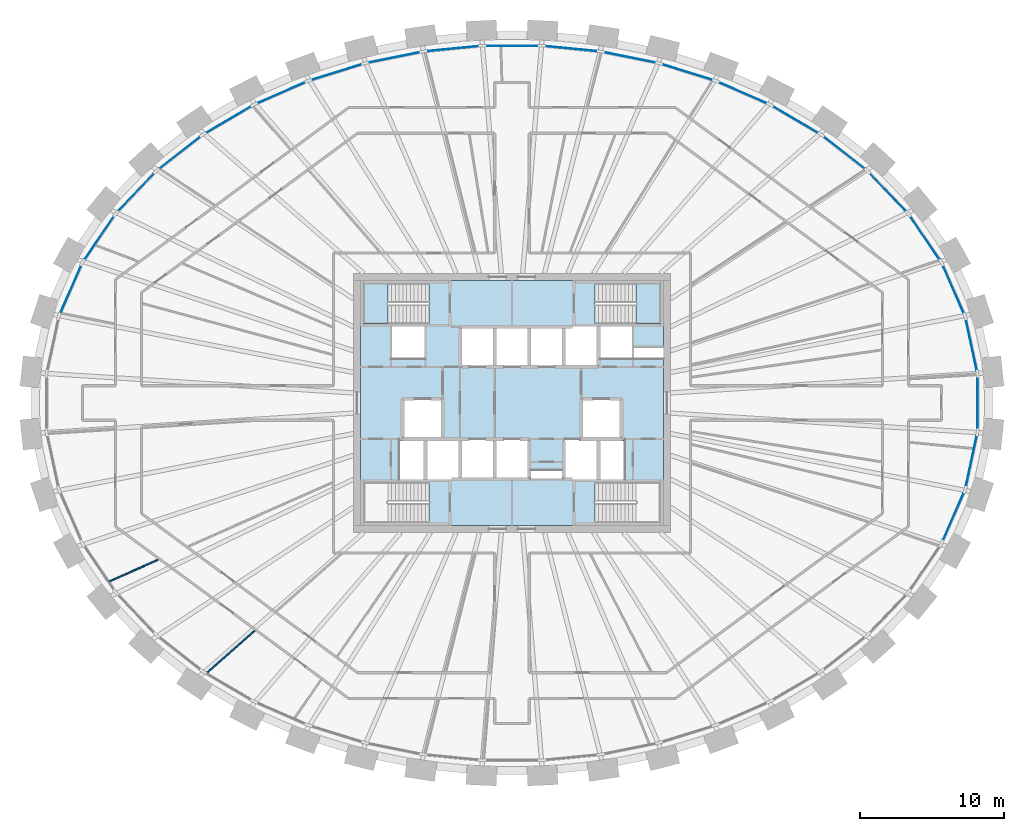
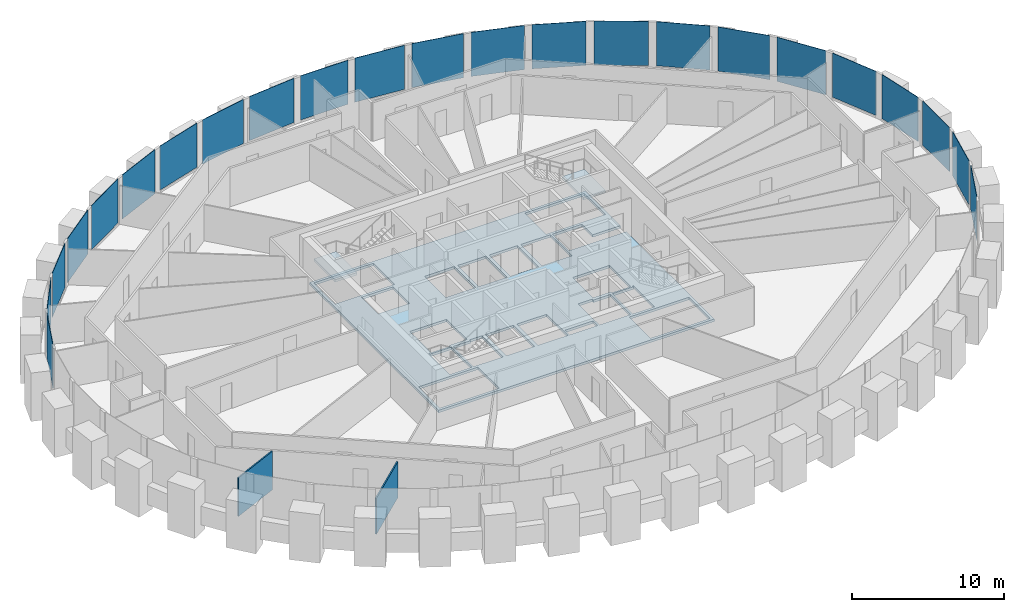
# One storey, part 5 of 12: 23 plates, 3 slabs, 2 walls, 3 elements without a shape of their own.
"""IFC4 building model written with IfcOpenShell, lengths in metres."""

import ifcopenshell
import ifcopenshell.guid

model = None  # the IFC model being written
_history = None  # IfcOwnerHistory: only IFC2X3 demands one
_inside = {}  # id of a spatial element -> (the spatial element, [elements in it])
_under = {}  # id of a project, library or spatial element -> (it, [spatial elements below it])
_declared = {}  # id of a project -> (the project, [libraries it declares])
_typed = {}  # id of a type object -> (the type object, [elements of that type])
_made_of = {}  # id of a material, layer set ... -> (it, [elements and type objects made of it])


def new_model(schema):
    """Start an empty IFC model of exactly this schema.

    Asked for "IFC4X3", IfcOpenShell would pick the latest addendum, in which some entities
    have other attributes; the version numbers below select the first issue.
    IFC2X3 requires an IfcOwnerHistory on every rooted entity: one is made here for all.
    """
    global model, _history
    if schema == "IFC4X3":
        model = ifcopenshell.file(schema_version=(4, 3, 0, 0))
    else:
        model = ifcopenshell.file(schema=schema)
    _inside.clear()
    _under.clear()
    _declared.clear()
    _typed.clear()
    _made_of.clear()
    _history = None
    if model.schema == "IFC2X3":
        org = make("IfcOrganization", Name="unknown")
        user = make(
            "IfcPersonAndOrganization",
            ThePerson=make("IfcPerson", FamilyName="unknown"),
            TheOrganization=org,
        )
        app = make(
            "IfcApplication",
            ApplicationDeveloper=org,
            Version="unknown",
            ApplicationFullName="unknown",
            ApplicationIdentifier="unknown",
        )
        _history = make(
            "IfcOwnerHistory",
            OwningUser=user,
            OwningApplication=app,
            ChangeAction="ADDED",
            CreationDate=0,
        )
    return model


def make(cls, **values):
    """One entity of the class cls with the attributes given. An attribute that is None is left unset."""
    return model.create_entity(
        cls, **{name: value for name, value in values.items() if value is not None}
    )


def rooted(cls, **values):
    """An entity with a GlobalId (a new one), such as an element, a storey or a relation."""
    return make(cls, GlobalId=ifcopenshell.guid.new(), OwnerHistory=_history, **values)


def si_unit(unit_type, name, prefix=None):
    """IfcSIUnit, for example si_unit("LENGTHUNIT", "METRE", prefix="MILLI")."""
    return make("IfcSIUnit", UnitType=unit_type, Prefix=prefix, Name=name)


def assignment(units):
    """IfcUnitAssignment: the units of a project."""
    return None if units is None else make("IfcUnitAssignment", Units=units)


def point(xyz):
    """IfcCartesianPoint."""
    return None if xyz is None else make("IfcCartesianPoint", Coordinates=xyz)


def direction(xyz):
    """IfcDirection."""
    return None if xyz is None else make("IfcDirection", DirectionRatios=xyz)


def frame(location, z_axis=None, x_axis=None):
    """IfcAxis2Placement3D, a coordinate frame: its origin and axes. An axis left out is left unset."""
    return make(
        "IfcAxis2Placement3D",
        Location=point(location),
        Axis=direction(z_axis),
        RefDirection=direction(x_axis),
    )


def frame_2d(location, x_axis=None):
    """IfcAxis2Placement2D, a coordinate frame in the plane: its origin and x axis."""
    return make(
        "IfcAxis2Placement2D", Location=point(location), RefDirection=direction(x_axis)
    )


def origin():
    """The frame at (0, 0, 0) with its axes left unset."""
    return frame((0.0, 0.0, 0.0))


def origin_2d():
    """The frame at (0, 0) in the plane with its x axis left unset."""
    return frame_2d((0.0, 0.0))


def place(relative_to, where):
    """IfcLocalPlacement: puts the frame where relative to a parent placement (None: the world)."""
    return make(
        "IfcLocalPlacement", PlacementRelTo=relative_to, RelativePlacement=where
    )


def context(
    kind, dimensions, precision=None, world=None, true_north=None, identifier=None
):
    """IfcGeometricRepresentationContext, for example the 3D "Model" context."""
    return make(
        "IfcGeometricRepresentationContext",
        ContextIdentifier=identifier,
        ContextType=kind,
        CoordinateSpaceDimension=dimensions,
        Precision=precision,
        WorldCoordinateSystem=world,
        TrueNorth=true_north,
    )


def subcontext(parent, identifier, kind, view, scale=None):
    """IfcGeometricRepresentationSubContext, for example "Body" below "Model"."""
    return make(
        "IfcGeometricRepresentationSubContext",
        ContextIdentifier=identifier,
        ContextType=kind,
        ParentContext=parent,
        TargetScale=scale,
        TargetView=view,
    )


def project(units=None, contexts=None):
    """IfcProject with its units and contexts."""
    return rooted(
        "IfcProject",
        Name="project",
        RepresentationContexts=contexts,
        UnitsInContext=assignment(units),
    )


def spatial(cls, under=None, at=None, **own):
    """A site, building, storey or space (cls), placed at a placement, below another one or the project."""
    s = rooted(cls, ObjectPlacement=at, **own)
    if under is not None:
        _under.setdefault(under.id(), (under, []))[1].append(s)
    return s


def polyline(points):
    """IfcPolyline through the points."""
    return make("IfcPolyline", Points=[point(p) for p in points])


def profile(cls, at=None, kind="AREA", **sizes):
    """A parametric profile (cls). Its sizes go by their IFC names, for example OverallWidth=200.0."""
    return make(cls, ProfileType=kind, Position=at, **sizes)


def rectangle(**sizes):
    """IfcRectangleProfileDef."""
    return profile("IfcRectangleProfileDef", **sizes)


def outline(outer, holes=None, kind="AREA"):
    """IfcArbitraryClosedProfileDef: a profile drawn as a closed curve; with holes, ...WithVoids."""
    if holes is None:
        return make("IfcArbitraryClosedProfileDef", ProfileType=kind, OuterCurve=outer)
    return make(
        "IfcArbitraryProfileDefWithVoids",
        ProfileType=kind,
        OuterCurve=outer,
        InnerCurves=holes,
    )


def extrude(swept, where, along, depth):
    """IfcExtrudedAreaSolid: the profile swept, set in the frame where, extruded along a direction by depth."""
    return make(
        "IfcExtrudedAreaSolid",
        SweptArea=swept,
        Position=where,
        ExtrudedDirection=direction(along),
        Depth=depth,
    )


def shape(context_of_items, identifier, shape_type, items):
    """IfcShapeRepresentation: the items that make up one representation, for example the "Body"."""
    return make(
        "IfcShapeRepresentation",
        ContextOfItems=context_of_items,
        RepresentationIdentifier=identifier,
        RepresentationType=shape_type,
        Items=items,
    )


def source(mapping_origin, context_of_items, identifier, shape_type, items):
    """IfcRepresentationMap: a shape defined once, which mapped items show again and again."""
    return make(
        "IfcRepresentationMap",
        MappingOrigin=mapping_origin,
        MappedRepresentation=shape(context_of_items, identifier, shape_type, items),
    )


def transform(
    local_origin,
    x_axis=None,
    y_axis=None,
    z_axis=None,
    scale=None,
    scale2=None,
    scale3=None,
    uniform=True,
):
    """IfcCartesianTransformationOperator3D, or its non-uniform kind. x_axis, y_axis, z_axis: its Axis1, 2, 3."""
    if uniform:
        return make(
            "IfcCartesianTransformationOperator3D",
            Axis1=direction(x_axis),
            Axis2=direction(y_axis),
            LocalOrigin=point(local_origin),
            Scale=scale,
            Axis3=direction(z_axis),
        )
    return make(
        "IfcCartesianTransformationOperator3DnonUniform",
        Axis1=direction(x_axis),
        Axis2=direction(y_axis),
        LocalOrigin=point(local_origin),
        Scale=scale,
        Axis3=direction(z_axis),
        Scale2=scale2,
        Scale3=scale3,
    )


def mapped(mapping_source, mapping_target):
    """IfcMappedItem: shows the shape of a source again, moved by a transform."""
    return make(
        "IfcMappedItem", MappingSource=mapping_source, MappingTarget=mapping_target
    )


def material(Name=None, Category=None):
    """IfcMaterial."""
    return make("IfcMaterial", Name=Name, Category=Category)


def layer(
    of_material, thickness, ventilated=None, Name=None, Category=None, Priority=None
):
    """IfcMaterialLayer: one layer of a wall or slab, of a material (None: an air gap)."""
    return make(
        "IfcMaterialLayer",
        Material=of_material,
        LayerThickness=thickness,
        IsVentilated=ventilated,
        Name=Name,
        Category=Category,
        Priority=Priority,
    )


def layer_set(layers, Name=None):
    """IfcMaterialLayerSet."""
    return make("IfcMaterialLayerSet", MaterialLayers=layers, LayerSetName=Name)


def made_of(thing, what):
    """Note that an element or type object is made of a material, layer set ...; save() writes the relation."""
    if what is not None:
        _made_of.setdefault(what.id(), (what, []))[1].append(thing)
    return thing


def type_object(cls, material=None, **own):
    """A type object (cls), such as IfcWallType, which elements share."""
    return made_of(rooted(cls, **own), material)


def element(
    cls,
    number,
    at=None,
    inside=None,
    cuts=None,
    type_object=None,
    material=None,
    context=None,
    identifier="Body",
    shape_type=None,
    held_by="IfcProductDefinitionShape",
    body=None,
    shapes=None,
    **own,
):
    """One element of the class cls, such as IfcWall. Its Tag is "e" and its number.

    at: its placement. inside: the storey or other place that contains it. cuts: it is an
    opening in that element (IfcRelVoidsElement). A single representation is given by context,
    identifier, shape_type and body (its items); several are given by shapes. held_by: the class
    of the entity that holds the representations. save() writes the other relations.
    """
    e = rooted(cls, Tag="e%d" % number, ObjectPlacement=at, **own)
    if body is not None:
        shapes = [shape(context, identifier, shape_type, body)]
    if shapes is not None:
        e.Representation = make(held_by, Representations=shapes)
    if inside is not None:
        _inside.setdefault(inside.id(), (inside, []))[1].append(e)
    if cuts is not None:
        rooted(
            "IfcRelVoidsElement", RelatingBuildingElement=cuts, RelatedOpeningElement=e
        )
    if type_object is not None:
        _typed.setdefault(type_object.id(), (type_object, []))[1].append(e)
    return made_of(e, material)


def aggregate(whole, parts):
    """IfcRelAggregates: a whole, such as a stair, and the parts it consists of."""
    return rooted("IfcRelAggregates", RelatingObject=whole, RelatedObjects=parts)


def save(model, path):
    """Write the relations noted so far, then the file.

    IfcRelAggregates (storeys below a building ...), IfcRelContainedInSpatialStructure (elements
    in a storey), IfcRelDefinesByType, IfcRelAssociatesMaterial and IfcRelDeclares: one each for
    every whole, place, type object, material and project.
    """
    for whole, parts in _under.values():
        aggregate(whole, parts)
    for where, things in _inside.values():
        rooted(
            "IfcRelContainedInSpatialStructure",
            RelatedElements=things,
            RelatingStructure=where,
        )
    for kind, things in _typed.values():
        rooted("IfcRelDefinesByType", RelatedObjects=things, RelatingType=kind)
    for what, things in _made_of.values():
        rooted("IfcRelAssociatesMaterial", RelatedObjects=things, RelatingMaterial=what)
    for by, libraries in _declared.values():
        rooted("IfcRelDeclares", RelatingContext=by, RelatedDefinitions=libraries)
    model.write(path)


model = new_model("IFC4")

# Units and contexts
model_context = context("Model", 3, precision=1e-05, world=origin(), true_north=direction((0.0, 1.0)))
body_context = subcontext(model_context, "Body", "Model", "MODEL_VIEW")
ifc_project = project(units=[si_unit("LENGTHUNIT", "METRE"), si_unit("AREAUNIT", "SQUARE_METRE"), si_unit("VOLUMEUNIT", "CUBIC_METRE"), si_unit("PLANEANGLEUNIT", "RADIAN"), si_unit("MASSUNIT", "GRAM", prefix="KILO")], contexts=[model_context])

# Site, building, storey
site_placement = place(None, origin())
site = spatial("IfcSite", under=ifc_project, at=site_placement, CompositionType="ELEMENT")
building_placement = place(site_placement, origin())
building = spatial("IfcBuilding", under=site, at=building_placement, Name="Embergate Tower", CompositionType="ELEMENT")
storey_placement = place(building_placement, frame((0.0, 0.0, 250.0)))
storey = spatial("IfcBuildingStorey", under=building, at=storey_placement, Name="L57", CompositionType="ELEMENT", Elevation=250.0)

# Curtain wall, plates
ifc_material_1 = material(Name="Aluminium and glass", Category="aluminium")
curtain_wall_type = type_object("IfcCurtainWallType", Name="Recessed office glazing", PredefinedType="NOTDEFINED", material=ifc_material_1)
curtain_wall_placement = place(storey_placement, origin())
curtain_wall = element("IfcCurtainWall", 1, at=curtain_wall_placement, inside=storey, type_object=curtain_wall_type, Name="Recessed office glazing ring", ObjectType="RECESSED OFFICE GLAZING", PredefinedType="USERDEFINED")
ifc_material_2 = material(Name="Triple glazing, low-emissivity coating", Category="glass")
ifc_layer_1 = layer(ifc_material_2, 0.035888671875)
ifc_layer_set_1 = layer_set([ifc_layer_1], Name="Triple glazing, low-emissivity coating")
plate_type = type_object("IfcPlateType", Name="Office glazing unit", PredefinedType="CURTAIN_PANEL", material=ifc_layer_set_1)
shared_shape_1 = source(origin(), body_context, "Body", "SweptSolid", [
    extrude(rectangle(XDim=3.552978515625, YDim=0.035888671875, at=origin_2d()), origin(), (0.0, 0.0, 1.0), 3.550048828125),
])
plate_1_placement = place(storey_placement, frame((31.87646484375, 4.026123046875, 0.14990234375), z_axis=(0.0, 0.0, 1.0), x_axis=(-0.210398391177, 0.97761573074, 0.0)))
plate_1 = element("IfcPlate", 2, at=plate_1_placement, type_object=plate_type, Name="CW panel 1.1", PredefinedType="CURTAIN_PANEL", context=body_context, shape_type="MappedRepresentation", body=[
    mapped(shared_shape_1, transform((0.0, 0.0, 0.0))),
])
plate_2_placement = place(storey_placement, frame((31.87646484375, -4.026123046875, 0.14990234375), z_axis=(0.0, 0.0, 1.0), x_axis=(0.210398391177, 0.97761573074, 0.0)))
plate_2 = element("IfcPlate", 3, at=plate_2_placement, type_object=plate_type, Name="CW panel 43.1", PredefinedType="CURTAIN_PANEL", context=body_context, shape_type="MappedRepresentation", body=[
    mapped(shared_shape_1, transform((0.0, 0.0, 0.0))),
])
shared_shape_2 = source(origin(), body_context, "Body", "SweptSolid", [
    extrude(rectangle(XDim=3.559814453125, YDim=0.035888671875, at=origin_2d()), origin(), (0.0, 0.0, 1.0), 3.550048828125),
])
plate_3_placement = place(storey_placement, frame((30.628662109375, 7.885009765625, 0.14990234375), z_axis=(0.0, 0.0, 1.0), x_axis=(-0.401652101157, 0.91579232888, 0.0)))
plate_3 = element("IfcPlate", 4, at=plate_3_placement, type_object=plate_type, Name="CW panel 2.1", PredefinedType="CURTAIN_PANEL", context=body_context, shape_type="MappedRepresentation", body=[
    mapped(shared_shape_2, transform((0.0, 0.0, 0.0))),
])
plate_4_placement = place(storey_placement, frame((-30.628662109375, 7.885009765625, 0.14990234375), z_axis=(0.0, 0.0, 1.0), x_axis=(-0.401652101157, -0.91579232888, 0.0)))
plate_4 = element("IfcPlate", 5, at=plate_4_placement, type_object=plate_type, Name="CW panel 20.1", PredefinedType="CURTAIN_PANEL", context=body_context, shape_type="MappedRepresentation", body=[
    mapped(shared_shape_2, transform((0.0, 0.0, 0.0))),
])
plate_5_placement = place(storey_placement, frame((30.628662109375, -7.885009765625, 0.14990234375), z_axis=(0.0, 0.0, 1.0), x_axis=(0.401652101157, 0.91579232888, 0.0)))
plate_5 = element("IfcPlate", 6, at=plate_5_placement, type_object=plate_type, Name="CW panel 42.1", PredefinedType="CURTAIN_PANEL", context=body_context, shape_type="MappedRepresentation", body=[
    mapped(shared_shape_2, transform((0.0, 0.0, 0.0))),
])
shared_shape_3 = source(origin(), body_context, "Body", "SweptSolid", [
    extrude(rectangle(XDim=3.568603515625, YDim=0.035888671875, at=origin_2d()), origin(), (0.0, 0.0, 1.0), 3.550048828125),
])
plate_6_placement = place(storey_placement, frame((28.659912109375, 11.443603515625, 0.14990234375), z_axis=(0.0, 0.0, 1.0), x_axis=(-0.562341741915, 0.826904931234, 0.0)))
plate_6 = element("IfcPlate", 7, at=plate_6_placement, type_object=plate_type, Name="CW panel 3.1", PredefinedType="CURTAIN_PANEL", context=body_context, shape_type="MappedRepresentation", body=[
    mapped(shared_shape_3, transform((0.0, 0.0, 0.0))),
])
plate_7_placement = place(storey_placement, frame((-28.659912109375, 11.443603515625, 0.14990234375), z_axis=(0.0, 0.0, 1.0), x_axis=(-0.562341741915, -0.826904931234, 0.0)))
plate_7 = element("IfcPlate", 8, at=plate_7_placement, type_object=plate_type, Name="CW panel 19.1", PredefinedType="CURTAIN_PANEL", context=body_context, shape_type="MappedRepresentation", body=[
    mapped(shared_shape_3, transform((0.0, 0.0, 0.0))),
])
shared_shape_4 = source(origin(), body_context, "Body", "SweptSolid", [
    extrude(rectangle(XDim=3.576904296875, YDim=0.035888671875, at=origin_2d()), origin(), (0.0, 0.0, 1.0), 3.550048828125),
])
plate_8_placement = place(storey_placement, frame((26.096435546875, 14.616455078125, 0.14990234375), z_axis=(0.0, 0.0, 1.0), x_axis=(-0.690133784465, 0.723681808215, 0.0)))
plate_8 = element("IfcPlate", 9, at=plate_8_placement, type_object=plate_type, Name="CW panel 4.1", PredefinedType="CURTAIN_PANEL", context=body_context, shape_type="MappedRepresentation", body=[
    mapped(shared_shape_4, transform((0.0, 0.0, 0.0))),
])
plate_9_placement = place(storey_placement, frame((-26.096435546875, 14.616455078125, 0.14990234375), z_axis=(0.0, 0.0, 1.0), x_axis=(-0.690133784465, -0.723681808215, 0.0)))
plate_9 = element("IfcPlate", 10, at=plate_9_placement, type_object=plate_type, Name="CW panel 18.1", PredefinedType="CURTAIN_PANEL", context=body_context, shape_type="MappedRepresentation", body=[
    mapped(shared_shape_4, transform((0.0, 0.0, 0.0))),
])
shared_shape_5 = source(origin(), body_context, "Body", "SweptSolid", [
    extrude(rectangle(XDim=3.584228515625, YDim=0.035888671875, at=origin_2d()), origin(), (0.0, 0.0, 1.0), 3.550048828125),
])
plate_10_placement = place(storey_placement, frame((23.06494140625, 17.361572265625, 0.14990234375), z_axis=(0.0, 0.0, 1.0), x_axis=(-0.788319045413, 0.615266676035, 0.0)))
plate_10 = element("IfcPlate", 11, at=plate_10_placement, type_object=plate_type, Name="CW panel 5.1", PredefinedType="CURTAIN_PANEL", context=body_context, shape_type="MappedRepresentation", body=[
    mapped(shared_shape_5, transform((0.0, 0.0, 0.0))),
])
plate_11_placement = place(storey_placement, frame((-23.06494140625, 17.361572265625, 0.14990234375), z_axis=(0.0, 0.0, 1.0), x_axis=(-0.788319045413, -0.615266676035, 0.0)))
plate_11 = element("IfcPlate", 12, at=plate_11_placement, type_object=plate_type, Name="CW panel 17.1", PredefinedType="CURTAIN_PANEL", context=body_context, shape_type="MappedRepresentation", body=[
    mapped(shared_shape_5, transform((0.0, 0.0, 0.0))),
])
shared_shape_6 = source(origin(), body_context, "Body", "SweptSolid", [
    extrude(rectangle(XDim=3.590087890625, YDim=0.035888671875, at=origin_2d()), origin(), (0.0, 0.0, 1.0), 3.550048828125),
])
plate_12_placement = place(storey_placement, frame((19.675537109375, 19.665771484375, 0.14990234375), z_axis=(0.0, 0.0, 1.0), x_axis=(-0.862051398678, 0.50682086188, 0.0)))
plate_12 = element("IfcPlate", 13, at=plate_12_placement, type_object=plate_type, Name="CW panel 6.1", PredefinedType="CURTAIN_PANEL", context=body_context, shape_type="MappedRepresentation", body=[
    mapped(shared_shape_6, transform((0.0, 0.0, 0.0))),
])
plate_13_placement = place(storey_placement, frame((-19.675537109375, 19.665771484375, 0.14990234375), z_axis=(0.0, 0.0, 1.0), x_axis=(-0.862051398678, -0.50682086188, 0.0)))
plate_13 = element("IfcPlate", 14, at=plate_13_placement, type_object=plate_type, Name="CW panel 16.1", PredefinedType="CURTAIN_PANEL", context=body_context, shape_type="MappedRepresentation", body=[
    mapped(shared_shape_6, transform((0.0, 0.0, 0.0))),
])
shared_shape_7 = source(origin(), body_context, "Body", "SweptSolid", [
    extrude(rectangle(XDim=3.5947265625, YDim=0.035888671875, at=origin_2d()), origin(), (0.0, 0.0, 1.0), 3.550048828125),
])
plate_14_placement = place(storey_placement, frame((16.01904296875, 21.531494140625, 0.14990234375), z_axis=(0.0, 0.0, 1.0), x_axis=(-0.916234813243, 0.400641694037, 0.0)))
plate_14 = element("IfcPlate", 15, at=plate_14_placement, type_object=plate_type, Name="CW panel 7.1", PredefinedType="CURTAIN_PANEL", context=body_context, shape_type="MappedRepresentation", body=[
    mapped(shared_shape_7, transform((0.0, 0.0, 0.0))),
])
plate_15_placement = place(storey_placement, frame((-16.01904296875, 21.531494140625, 0.14990234375), z_axis=(0.0, 0.0, 1.0), x_axis=(-0.916234813243, -0.400641694037, 0.0)))
plate_15 = element("IfcPlate", 16, at=plate_15_placement, type_object=plate_type, Name="CW panel 15.1", PredefinedType="CURTAIN_PANEL", context=body_context, shape_type="MappedRepresentation", body=[
    mapped(shared_shape_7, transform((0.0, 0.0, 0.0))),
])
shared_shape_8 = source(origin(), body_context, "Body", "SweptSolid", [
    extrude(rectangle(XDim=3.597900390625, YDim=0.035888671875, at=origin_2d()), origin(), (0.0, 0.0, 1.0), 3.550048828125),
])
plate_16_placement = place(storey_placement, frame((12.168212890625, 22.968017578125, 0.14990234375), z_axis=(0.0, 0.0, 1.0), x_axis=(-0.954771179262, 0.297341546458, 0.0)))
plate_16 = element("IfcPlate", 17, at=plate_16_placement, type_object=plate_type, Name="CW panel 8.1", PredefinedType="CURTAIN_PANEL", context=body_context, shape_type="MappedRepresentation", body=[
    mapped(shared_shape_8, transform((0.0, 0.0, 0.0))),
])
plate_17_placement = place(storey_placement, frame((-12.168212890625, 22.968017578125, 0.14990234375), z_axis=(0.0, 0.0, 1.0), x_axis=(-0.954771179262, -0.297341546458, 0.0)))
plate_17 = element("IfcPlate", 18, at=plate_17_placement, type_object=plate_type, Name="CW panel 14.1", PredefinedType="CURTAIN_PANEL", context=body_context, shape_type="MappedRepresentation", body=[
    mapped(shared_shape_8, transform((0.0, 0.0, 0.0))),
])
shared_shape_9 = source(origin(), body_context, "Body", "SweptSolid", [
    extrude(rectangle(XDim=3.60009765625, YDim=0.035888671875, at=origin_2d()), origin(), (0.0, 0.0, 1.0), 3.550048828125),
])
plate_18_placement = place(storey_placement, frame((8.182373046875, 23.9853515625, 0.14990234375), z_axis=(0.0, 0.0, 1.0), x_axis=(-0.980475564207, 0.196640962142, 0.0)))
plate_18 = element("IfcPlate", 19, at=plate_18_placement, type_object=plate_type, Name="CW panel 9.1", PredefinedType="CURTAIN_PANEL", context=body_context, shape_type="MappedRepresentation", body=[
    mapped(shared_shape_9, transform((0.0, 0.0, 0.0))),
])
plate_19_placement = place(storey_placement, frame((-8.182373046875, 23.9853515625, 0.14990234375), z_axis=(0.0, 0.0, 1.0), x_axis=(-0.980475564207, -0.196640962142, 0.0)))
plate_19 = element("IfcPlate", 20, at=plate_19_placement, type_object=plate_type, Name="CW panel 13.1", PredefinedType="CURTAIN_PANEL", context=body_context, shape_type="MappedRepresentation", body=[
    mapped(shared_shape_9, transform((0.0, 0.0, 0.0))),
])
shared_shape_10 = source(origin(), body_context, "Body", "SweptSolid", [
    extrude(rectangle(XDim=3.601318359375, YDim=0.035888671875, at=origin_2d()), origin(), (0.0, 0.0, 1.0), 3.550048828125),
])
plate_20_placement = place(storey_placement, frame((4.11181640625, 24.592041015625, 0.14990234375), z_axis=(0.0, 0.0, 1.0), x_axis=(-0.995203184788, 0.097829550688, 0.0)))
plate_20 = element("IfcPlate", 21, at=plate_20_placement, type_object=plate_type, Name="CW panel 10.1", PredefinedType="CURTAIN_PANEL", context=body_context, shape_type="MappedRepresentation", body=[
    mapped(shared_shape_10, transform((0.0, 0.0, 0.0))),
])
plate_21_placement = place(storey_placement, frame((-4.11181640625, 24.592041015625, 0.14990234375), z_axis=(0.0, 0.0, 1.0), x_axis=(-0.995203184788, -0.097829550688, 0.0)))
plate_21 = element("IfcPlate", 22, at=plate_21_placement, type_object=plate_type, Name="CW panel 12.1", PredefinedType="CURTAIN_PANEL", context=body_context, shape_type="MappedRepresentation", body=[
    mapped(shared_shape_10, transform((0.0, 0.0, 0.0))),
])
shared_shape_11 = source(origin(), body_context, "Body", "SweptSolid", [
    extrude(rectangle(XDim=3.601806640625, YDim=0.035888671875, at=origin_2d()), origin(), (0.0, 0.0, 1.0), 3.550048828125),
])
plate_22_placement = place(storey_placement, frame((0.0, 24.793701171875, 0.14990234375), z_axis=(0.0, 0.0, 1.0), x_axis=(-1.0, 0.0, 0.0)))
plate_22 = element("IfcPlate", 23, at=plate_22_placement, type_object=plate_type, Name="CW panel 11.1", PredefinedType="CURTAIN_PANEL", context=body_context, shape_type="MappedRepresentation", body=[
    mapped(shared_shape_11, transform((0.0, 0.0, 0.0))),
])
shared_shape_12 = source(origin(), body_context, "Body", "SweptSolid", [
    extrude(rectangle(XDim=3.55029296875, YDim=0.035888671875, at=origin_2d()), origin(), (0.0, 0.0, 1.0), 3.550048828125),
])
plate_23_placement = place(storey_placement, frame((32.304931640625, 0.0, 0.14990234375), z_axis=(0.0, 0.0, 1.0), x_axis=(0.0, 1.0, 0.0)))
plate_23 = element("IfcPlate", 24, at=plate_23_placement, type_object=plate_type, Name="CW panel 44.1", PredefinedType="CURTAIN_PANEL", context=body_context, shape_type="MappedRepresentation", body=[
    mapped(shared_shape_12, transform((0.0, 0.0, 0.0))),
])
aggregate(curtain_wall, [plate_1, plate_3, plate_6, plate_8, plate_10, plate_12, plate_14, plate_16, plate_18, plate_20, plate_22, plate_21, plate_19, plate_17, plate_15, plate_13, plate_11, plate_9, plate_7, plate_4, plate_5, plate_2, plate_23])

# Stair, slab
ifc_material_3 = material(Name="Exit stair")
stair_type = type_object("IfcStairType", Name="Exit stair", PredefinedType="HALF_TURN_STAIR", material=ifc_material_3)
stair_1_placement = place(storey_placement, origin())
stair_1 = element("IfcStair", 25, at=stair_1_placement, inside=storey, type_object=stair_type, Name="L57 Exit stair 1", PredefinedType="HALF_TURN_STAIR")
ifc_material_4 = material(Name="Concrete C40", Category="concrete")
ifc_layer_2 = layer(ifc_material_4, 0.199951171875)
ifc_layer_set_2 = layer_set([ifc_layer_2], Name="Concrete C40")
slab_type_1 = type_object("IfcSlabType", Name="Stair landing reinforced concrete", PredefinedType="LANDING", material=ifc_layer_set_2)
shared_shape_13 = source(origin(), body_context, "Body", "SweptSolid", [
    extrude(outline(polyline([(0.0, 0.0), (1.68994140625, 0.0), (1.68994140625, 2.800048828125), (0.0, 2.800048828125), (0.0, 0.0)])), origin(), (0.0, 0.0, 1.0), 0.199951171875),
])
slab_1_placement = place(storey_placement, frame((-10.300048828125, 5.5, 1.75)))
slab_1 = element("IfcSlab", 26, at=slab_1_placement, type_object=slab_type_1, Name="ST1 landing 1", PredefinedType="LANDING", context=body_context, shape_type="MappedRepresentation", body=[
    mapped(shared_shape_13, transform((0.0, 0.0, 0.0))),
])
aggregate(stair_1, [slab_1])

stair_2_placement = place(storey_placement, origin())
stair_2 = element("IfcStair", 27, at=stair_2_placement, inside=storey, type_object=stair_type, Name="L57 Exit stair 2", PredefinedType="HALF_TURN_STAIR")
slab_2_placement = place(storey_placement, frame((8.610107421875, 5.5, 1.75)))
slab_2 = element("IfcSlab", 28, at=slab_2_placement, type_object=slab_type_1, Name="ST2 landing 1", PredefinedType="LANDING", context=body_context, shape_type="MappedRepresentation", body=[
    mapped(shared_shape_13, transform((0.0, 0.0, 0.0))),
])
aggregate(stair_2, [slab_2])

# Slab
ifc_layer_3 = layer(ifc_material_4, 0.199951171875)
ifc_layer_set_3 = layer_set([ifc_layer_3], Name="Concrete C40")
slab_type_2 = type_object("IfcSlabType", Name="Core floor slab 200 reinforced concrete", PredefinedType="FLOOR", material=ifc_layer_set_3)
shared_shape_14 = source(origin(), body_context, "Body", "SweptSolid", [
    extrude(outline(polyline([(0.0, 0.0), (21.0, 0.0), (21.0, 11.60009765625), (18.89990234375, 11.60009765625), (16.625, 11.60009765625), (16.625, 13.800048828125), (18.89990234375, 13.800048828125), (18.89990234375, 12.39990234375), (21.0, 12.39990234375), (21.0, 17.0), (0.0, 17.0), (0.0, 0.0)]), holes=[polyline([(0.199951171875, 0.199951171875), (0.199951171875, 3.0), (4.739990234375, 3.0), (4.739990234375, 0.199951171875), (0.199951171875, 0.199951171875)]), polyline([(16.260009765625, 0.199951171875), (16.260009765625, 3.0), (20.800048828125, 3.0), (20.800048828125, 0.199951171875), (16.260009765625, 0.199951171875)]), polyline([(2.699951171875, 3.199951171875), (2.699951171875, 6.0), (2.77490234375, 6.0), (2.77490234375, 5.875), (4.375, 5.875), (4.375, 3.199951171875), (2.699951171875, 3.199951171875)]), polyline([(4.5, 3.199951171875), (4.5, 5.875), (5.824951171875, 5.875), (5.824951171875, 6.0), (6.77490234375, 6.0), (6.77490234375, 3.199951171875), (4.5, 3.199951171875)]), polyline([(7.02490234375, 3.199951171875), (7.02490234375, 6.0), (9.175048828125, 6.0), (9.175048828125, 3.199951171875), (7.02490234375, 3.199951171875)]), polyline([(9.425048828125, 3.199951171875), (9.425048828125, 6.0), (11.699951171875, 6.0), (11.699951171875, 3.199951171875), (9.425048828125, 3.199951171875)]), polyline([(11.824951171875, 3.199951171875), (11.824951171875, 3.803955078125), (13.97509765625, 3.803955078125), (13.97509765625, 3.199951171875), (11.824951171875, 3.199951171875)]), polyline([(14.10009765625, 3.199951171875), (14.10009765625, 6.0), (15.175048828125, 6.0), (15.175048828125, 5.875), (16.5, 5.875), (16.5, 3.199951171875), (14.10009765625, 3.199951171875)]), polyline([(16.625, 3.199951171875), (16.625, 5.875), (18.22509765625, 5.875), (18.22509765625, 6.0), (18.300048828125, 6.0), (18.300048828125, 3.199951171875), (16.625, 3.199951171875)]), polyline([(2.89990234375, 6.0), (2.89990234375, 8.800048828125), (5.699951171875, 8.800048828125), (5.699951171875, 6.125), (4.375, 6.125), (4.375, 6.0), (2.89990234375, 6.0)]), polyline([(16.625, 6.0), (16.625, 6.125), (15.300048828125, 6.125), (15.300048828125, 8.800048828125), (18.10009765625, 8.800048828125), (18.10009765625, 6.0), (16.625, 6.0)]), polyline([(6.89990234375, 11.0), (6.89990234375, 13.800048828125), (9.175048828125, 13.800048828125), (9.175048828125, 11.0), (6.89990234375, 11.0)]), polyline([(9.425048828125, 11.0), (9.425048828125, 13.800048828125), (11.574951171875, 13.800048828125), (11.574951171875, 11.0), (9.425048828125, 11.0)]), polyline([(11.824951171875, 11.0), (11.824951171875, 13.800048828125), (13.97509765625, 13.800048828125), (13.97509765625, 11.0), (11.824951171875, 11.0)]), polyline([(14.22509765625, 11.0), (14.22509765625, 13.800048828125), (16.5, 13.800048828125), (16.5, 11.0), (14.22509765625, 11.0)]), polyline([(2.10009765625, 11.60009765625), (2.10009765625, 13.800048828125), (4.5, 13.800048828125), (4.5, 11.60009765625), (2.10009765625, 11.60009765625)]), polyline([(0.199951171875, 14.0), (0.199951171875, 16.800048828125), (4.739990234375, 16.800048828125), (4.739990234375, 14.0), (0.199951171875, 14.0)]), polyline([(16.260009765625, 14.0), (16.260009765625, 16.800048828125), (20.800048828125, 16.800048828125), (20.800048828125, 14.0), (16.260009765625, 14.0)])]), origin(), (0.0, 0.0, 1.0), 0.199951171875),
])
slab_3_placement = place(storey_placement, frame((-10.5, -8.5, -0.199951171875)))
element("IfcSlab", 29, at=slab_3_placement, inside=storey, type_object=slab_type_2, Name="Core floor slab", PredefinedType="FLOOR", context=body_context, shape_type="MappedRepresentation", body=[
    mapped(shared_shape_14, transform((0.0, 0.0, 0.0))),
])

# Walls
ifc_material_5 = material(Name="Partition dry-lined 100")
ifc_layer_4 = layer(ifc_material_5, 0.10009765625)
ifc_layer_set_4 = layer_set([ifc_layer_4], Name="Partition dry-lined 100")
wall_type = type_object("IfcWallType", Name="Partition dry-lined 100", PredefinedType="PARTITIONING", material=ifc_layer_set_4)
shared_shape_15 = source(origin(), body_context, "Body", "SweptSolid", [
    extrude(rectangle(XDim=4.472412109375, YDim=0.10009765625, at=frame_2d((2.236328125, 0.0))), origin(), (0.0, 0.0, 1.0), 2.89990234375),
])
wall_1_placement = place(storey_placement, frame((-17.85888671875, -15.802978515625, 0.0), z_axis=(0.0, 0.0, 1.0), x_axis=(-0.748838167945, -0.662752893791, 0.0)))
element("IfcWall", 30, at=wall_1_placement, inside=storey, type_object=wall_type, Name="IP-1 wall", PredefinedType="PARTITIONING", context=body_context, shape_type="MappedRepresentation", body=[
    mapped(shared_shape_15, transform((0.0, 0.0, 0.0))),
])
shared_shape_16 = source(origin(), body_context, "Body", "SweptSolid", [
    extrude(rectangle(XDim=3.80859375, YDim=0.10009765625, at=frame_2d((1.904296875, 0.0))), origin(), (0.0, 0.0, 1.0), 3.10009765625),
])
wall_2_placement = place(storey_placement, frame((-24.56103515625, -10.8798828125, 0.0), z_axis=(0.0, 0.0, 1.0), x_axis=(-0.914231360912, -0.405192569929, 0.0)))
element("IfcWall", 31, at=wall_2_placement, inside=storey, type_object=wall_type, Name="IP-1 wall", PredefinedType="PARTITIONING", context=body_context, shape_type="MappedRepresentation", body=[
    mapped(shared_shape_16, transform((0.0, 0.0, 0.0))),
])

save(model, "model.ifc")
